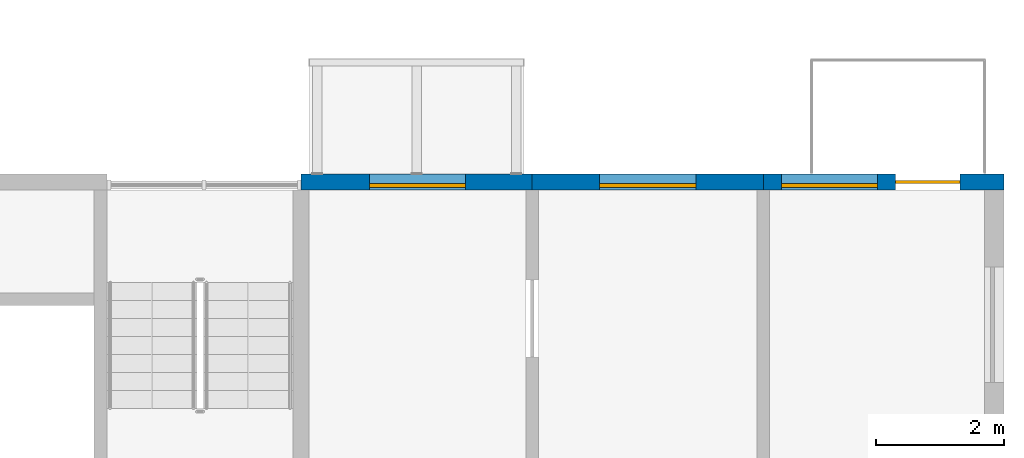
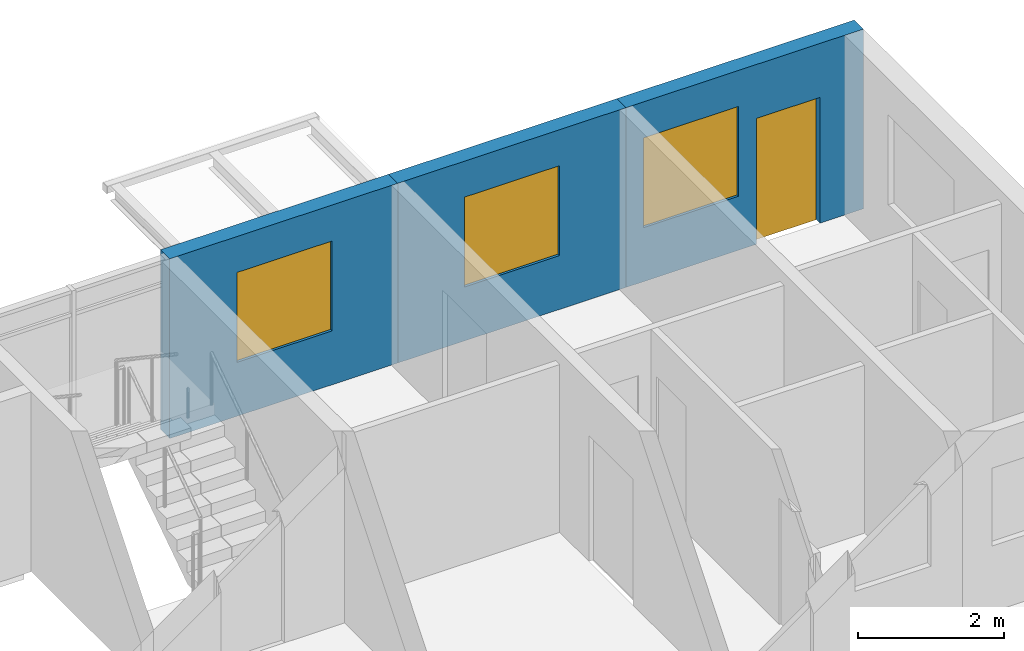
# One storey, part 59 of 99: 3 walls, 3 windows, 1 door, 4 openings.
"""IFC4 building model written with IfcOpenShell, lengths in metres."""

from ifc_helpers import new_model, si_unit, direction, frame, frame_2d, origin, place, context, subcontext, project, spatial, rectangle, extrude, material, layer, layer_set, type_object, element, fill, save


model = new_model("IFC4")

# Units and contexts
model_context = context("Model", 3, precision=1e-05, world=origin(), true_north=direction((0.0, 1.0)))
body_context = subcontext(model_context, "Body", "Model", "MODEL_VIEW")
ifc_project = project(units=[si_unit("LENGTHUNIT", "METRE"), si_unit("AREAUNIT", "SQUARE_METRE"), si_unit("VOLUMEUNIT", "CUBIC_METRE"), si_unit("PLANEANGLEUNIT", "RADIAN"), si_unit("MASSUNIT", "GRAM", prefix="KILO")], contexts=[model_context])

# Site, building, storey
site_placement = place(None, origin())
site = spatial("IfcSite", under=ifc_project, at=site_placement, CompositionType="ELEMENT")
building_placement = place(site_placement, origin())
building = spatial("IfcBuilding", under=site, at=building_placement, Name="Ridgestep Commons", CompositionType="ELEMENT")
storey_placement = place(building_placement, frame((0.0, 0.0, 15.0)))
storey = spatial("IfcBuildingStorey", under=building, at=storey_placement, Name="L05", CompositionType="ELEMENT", Elevation=15.0)

# Wall, opening, window
ifc_material_1 = material(Name="Precast concrete C40/50", Category="concrete")
ifc_layer = layer(ifc_material_1, 0.25)
ifc_layer_set = layer_set([ifc_layer], Name="North facade panel 250")
wall_type = type_object("IfcWallType", Name="North facade panel 250", PredefinedType="SOLIDWALL", material=ifc_layer_set)
wall_1_placement = place(storey_placement, frame((236.800048828125, 77.125, 0.0), z_axis=(0.0, 0.0, 1.0), x_axis=(1.0, 0.0, 0.0)))
wall_1 = element("IfcWall", 1, at=wall_1_placement, inside=storey, type_object=wall_type, Name="North panel C6T3 L05", PredefinedType="SOLIDWALL", context=body_context, shape_type="SweptSolid", body=[
    extrude(rectangle(XDim=3.599853515625, YDim=0.25, at=frame_2d((1.7998046875, 0.0))), origin(), (0.0, 0.0, 1.0), 3.0),
])
opening_1_placement = place(wall_1_placement, frame((1.0625, 0.0, 0.89990234375)))
opening_1 = element("IfcOpeningElement", 2, at=opening_1_placement, cuts=wall_1, Name="Opening W16", PredefinedType="OPENING", context=body_context, shape_type="SweptSolid", body=[
    extrude(rectangle(XDim=1.5, YDim=1.5, at=frame_2d((0.75, 0.75))), frame((0.0, 0.135009765625, 0.0), z_axis=(0.0, -1.0, 0.0), x_axis=(1.0, 0.0, 0.0)), (0.0, 0.0, 1.0), 0.27001953125),
])
ifc_material_2 = material(Name="Aluminium 6063-T6 and glass", Category="aluminium")
window_type = type_object("IfcWindowType", Name="Flat window 1500 x 1500", PartitioningType="DOUBLE_PANEL_VERTICAL", PredefinedType="WINDOW", material=ifc_material_2)
window_1_placement = place(opening_1_placement, origin())
window_1 = element("IfcWindow", 3, at=window_1_placement, inside=storey, type_object=window_type, Name="Window C6-05b 2", OverallHeight=1.5, OverallWidth=1.5, PartitioningType="SINGLE_PANEL", PredefinedType="WINDOW", context=body_context, shape_type="SweptSolid", body=[
    extrude(rectangle(XDim=1.5, YDim=1.5, at=frame_2d((0.75, 0.75))), frame((0.0, -0.02490234375, 0.0), z_axis=(0.0, -1.0, 0.0), x_axis=(1.0, 0.0, 0.0)), (0.0, 0.0, 1.0), 0.06005859375),
])
fill(opening_1, window_1)

wall_2_placement = place(storey_placement, frame((240.39990234375, 77.125, 0.0), z_axis=(0.0, 0.0, 1.0), x_axis=(1.0, 0.0, 0.0)))
wall_2 = element("IfcWall", 4, at=wall_2_placement, inside=storey, type_object=wall_type, Name="North panel C6T2 L05", PredefinedType="SOLIDWALL", context=body_context, shape_type="SweptSolid", body=[
    extrude(rectangle(XDim=3.60009765625, YDim=0.25, at=frame_2d((1.800048828125, 0.0))), origin(), (0.0, 0.0, 1.0), 3.0),
])
opening_2_placement = place(wall_2_placement, frame((1.050048828125, 0.0, 0.89990234375)))
opening_2 = element("IfcOpeningElement", 5, at=opening_2_placement, cuts=wall_2, Name="Opening W16", PredefinedType="OPENING", context=body_context, shape_type="SweptSolid", body=[
    extrude(rectangle(XDim=1.5, YDim=1.5, at=frame_2d((0.75, 0.75))), frame((0.0, 0.135009765625, 0.0), z_axis=(0.0, -1.0, 0.0), x_axis=(1.0, 0.0, 0.0)), (0.0, 0.0, 1.0), 0.27001953125),
])
window_2_placement = place(opening_2_placement, origin())
window_2 = element("IfcWindow", 6, at=window_2_placement, inside=storey, type_object=window_type, Name="Window C6-05b 4", OverallHeight=1.5, OverallWidth=1.5, PartitioningType="SINGLE_PANEL", PredefinedType="WINDOW", context=body_context, shape_type="SweptSolid", body=[
    extrude(rectangle(XDim=1.5, YDim=1.5, at=frame_2d((0.75, 0.75))), frame((0.0, -0.02490234375, 0.0), z_axis=(0.0, -1.0, 0.0), x_axis=(1.0, 0.0, 0.0)), (0.0, 0.0, 1.0), 0.06005859375),
])
fill(opening_2, window_2)

# Wall, openings, door, window
wall_3_placement = place(storey_placement, frame((244.0, 77.125, 0.0), z_axis=(0.0, 0.0, 1.0), x_axis=(1.0, 0.0, 0.0)))
wall_3 = element("IfcWall", 7, at=wall_3_placement, inside=storey, type_object=wall_type, Name="North panel C6T1 L05", PredefinedType="SOLIDWALL", context=body_context, shape_type="SweptSolid", body=[
    extrude(rectangle(XDim=3.75, YDim=0.25, at=frame_2d((1.875, 0.0))), origin(), (0.0, 0.0, 1.0), 3.0),
])
opening_3_placement = place(wall_3_placement, frame((0.281005859375, 0.0, 0.89990234375)))
opening_3 = element("IfcOpeningElement", 8, at=opening_3_placement, cuts=wall_3, Name="Opening W16", PredefinedType="OPENING", context=body_context, shape_type="SweptSolid", body=[
    extrude(rectangle(XDim=1.5, YDim=1.5, at=frame_2d((0.75, 0.75))), frame((0.0, 0.135009765625, 0.0), z_axis=(0.0, -1.0, 0.0), x_axis=(1.0, 0.0, 0.0)), (0.0, 0.0, 1.0), 0.27001953125),
])
opening_4_placement = place(wall_3_placement, frame((2.06201171875, 0.0, 0.0)))
opening_4 = element("IfcOpeningElement", 9, at=opening_4_placement, cuts=wall_3, Name="Opening C6-05a/5", PredefinedType="OPENING", context=body_context, shape_type="SweptSolid", body=[
    extrude(rectangle(XDim=1.0, YDim=2.10009765625, at=frame_2d((0.5, 1.050048828125))), frame((0.0, 0.135009765625, 0.0), z_axis=(0.0, -1.0, 0.0), x_axis=(1.0, 0.0, 0.0)), (0.0, 0.0, 1.0), 0.27001953125),
])
ifc_material_3 = material(Name="Aluminium and glass", Category="aluminium")
door_type = type_object("IfcDoorType", Name="Balcony door 1000 x 2100", OperationType="NOTDEFINED", PredefinedType="DOOR", material=ifc_material_3)
door_placement = place(opening_4_placement, origin())
door = element("IfcDoor", 10, at=door_placement, inside=storey, type_object=door_type, Name="Balcony door C6-05a/5", OperationType="SINGLE_SWING_LEFT", OverallHeight=2.10009765625, OverallWidth=1.0, PredefinedType="DOOR", context=body_context, shape_type="SweptSolid", body=[
    extrude(rectangle(XDim=1.0, YDim=2.10009765625, at=frame_2d((0.5, 1.050048828125))), frame((0.0, 0.02490234375, 0.0), z_axis=(0.0, -1.0, 0.0), x_axis=(1.0, 0.0, 0.0)), (0.0, 0.0, 1.0), 0.050048828125),
])
fill(opening_4, door)
window_3_placement = place(opening_3_placement, origin())
window_3 = element("IfcWindow", 11, at=window_3_placement, inside=storey, type_object=window_type, Name="Window C6-05a 2", OverallHeight=1.5, OverallWidth=1.5, PartitioningType="SINGLE_PANEL", PredefinedType="WINDOW", context=body_context, shape_type="SweptSolid", body=[
    extrude(rectangle(XDim=1.5, YDim=1.5, at=frame_2d((0.75, 0.75))), frame((0.0, -0.02490234375, 0.0), z_axis=(0.0, -1.0, 0.0), x_axis=(1.0, 0.0, 0.0)), (0.0, 0.0, 1.0), 0.06005859375),
])
fill(opening_3, window_3)

save(model, "model.ifc")
